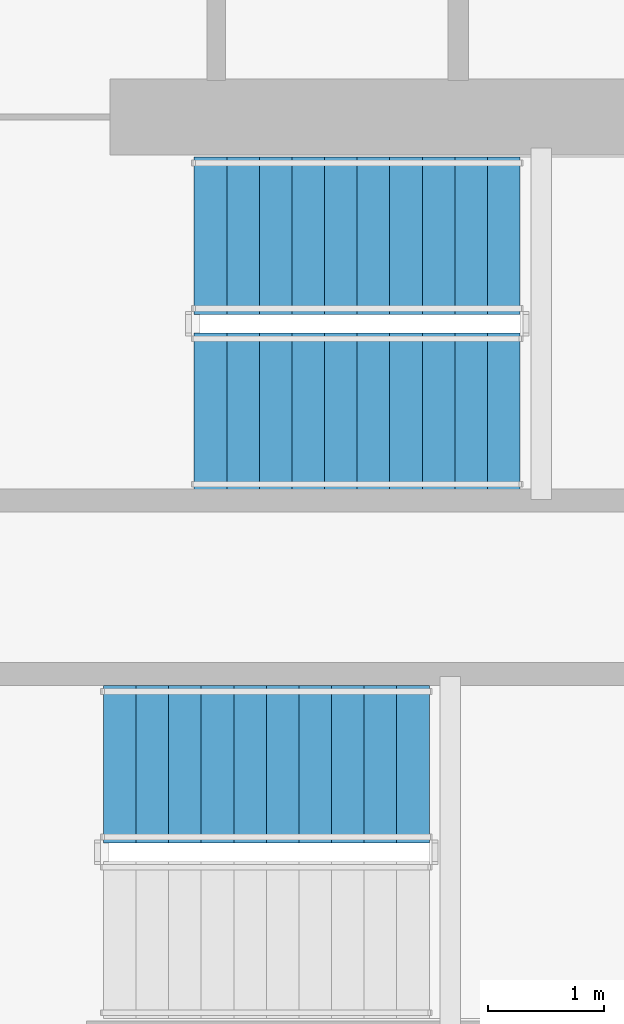
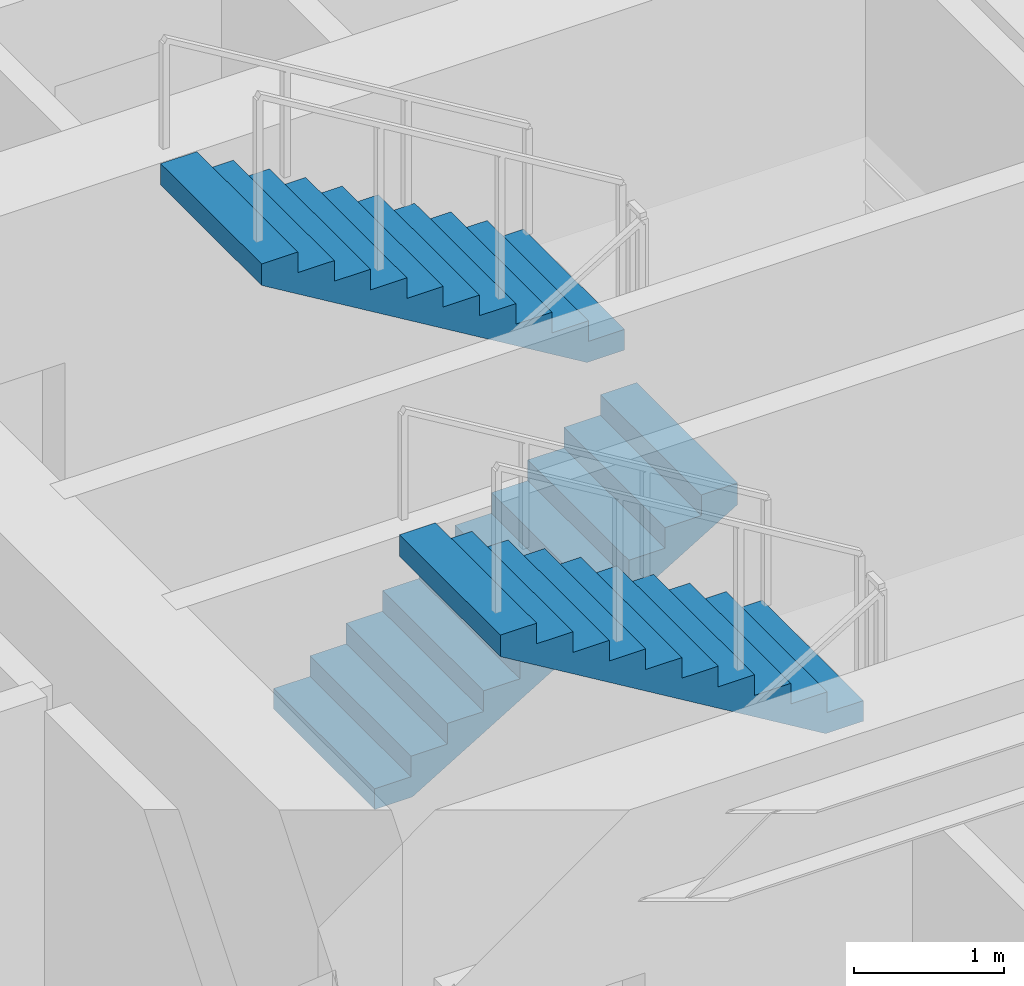
# One storey, part 20 of 23: 3 stair flights, 2 elements without a shape of their own.
"""IFC4 building model written with IfcOpenShell, lengths in metres."""

from ifc_helpers import new_model, si_unit, direction, frame, origin, place, context, subcontext, project, spatial, polyline, outline, extrude, material, type_object, element, aggregate, save


model = new_model("IFC4")

# Units and contexts
model_context = context("Model", 3, precision=1e-05, world=origin(), true_north=direction((0.0, 1.0)))
body_context = subcontext(model_context, "Body", "Model", "MODEL_VIEW")
ifc_project = project(units=[si_unit("LENGTHUNIT", "METRE"), si_unit("AREAUNIT", "SQUARE_METRE"), si_unit("VOLUMEUNIT", "CUBIC_METRE"), si_unit("PLANEANGLEUNIT", "RADIAN"), si_unit("MASSUNIT", "GRAM", prefix="KILO")], contexts=[model_context])

# Site, building, storey
site_placement = place(None, origin())
site = spatial("IfcSite", under=ifc_project, at=site_placement, CompositionType="ELEMENT")
building_placement = place(site_placement, origin())
building = spatial("IfcBuilding", under=site, at=building_placement, Name="Qianvela Tower", CompositionType="ELEMENT")
storey_placement = place(building_placement, frame((0.0, 0.0, 67.300048828125)))
storey = spatial("IfcBuildingStorey", under=building, at=storey_placement, Name="L16", CompositionType="ELEMENT", Elevation=67.300048828125)

# Stair, stair flights
ifc_material_1 = material(Name="Concrete C40", Category="concrete")
stair_type = type_object("IfcStairType", Name="ST-DOGLEG-1350-R168-N22", PredefinedType="HALF_TURN_STAIR", material=ifc_material_1)
stair_1_placement = place(storey_placement, origin())
stair_1 = element("IfcStair", 1, at=stair_1_placement, inside=storey, type_object=stair_type, Name="L16 Smoke-Proof Core Stair ST-1", PredefinedType="HALF_TURN_STAIR")
ifc_material_2 = material(Name="Concrete C40", Category="concrete")
stair_flight_type = type_object("IfcStairFlightType", Name="STF-STRAIGHT-R168-P11", PredefinedType="STRAIGHT", material=ifc_material_2)
stair_flight_1_placement = place(storey_placement, frame((32.199951171875, 30.215087890625, 0.0), z_axis=(0.0, 0.0, 1.0), x_axis=(1.0, 0.0, 0.0)))
stair_flight_1 = element("IfcStairFlight", 2, at=stair_flight_1_placement, type_object=stair_flight_type, Name="ST-1 flight 1", NumberOfRisers=11, NumberOfTreads=10, PredefinedType="STRAIGHT", RiserHeight=0.168181818, TreadLength=0.28, context=body_context, shape_type="SweptSolid", body=[
    extrude(outline(polyline([(0.0, 0.0), (0.0, 0.168212890625), (0.280029296875, 0.168212890625), (0.280029296875, 0.33642578125), (0.56005859375, 0.33642578125), (0.56005859375, 0.504638671875), (0.840087890625, 0.504638671875), (0.840087890625, 0.672607421875), (1.1201171875, 0.672607421875), (1.1201171875, 0.8408203125), (1.39990234375, 0.8408203125), (1.39990234375, 1.009033203125), (1.679931640625, 1.009033203125), (1.679931640625, 1.17724609375), (1.9599609375, 1.17724609375), (1.9599609375, 1.345458984375), (2.239990234375, 1.345458984375), (2.239990234375, 1.513671875), (2.52001953125, 1.513671875), (2.52001953125, 1.681884765625), (2.800048828125, 1.681884765625), (2.800048828125, 1.85009765625), (2.800048828125, 1.5068359375), (0.291015625, 0.0), (0.0, 0.0)])), frame((0.0, 0.675048828125, 0.0), z_axis=(0.0, -1.0, 0.0), x_axis=(1.0, 0.0, 0.0)), (0.0, 0.0, 1.0), 1.35009765625),
])
stair_flight_2_placement = place(storey_placement, frame((35.0, 31.72509765625, 1.849853515625), z_axis=(0.0, 0.0, 1.0), x_axis=(-1.0, 0.0, 0.0)))
stair_flight_2 = element("IfcStairFlight", 3, at=stair_flight_2_placement, type_object=stair_flight_type, Name="ST-1 flight 2", NumberOfRisers=11, NumberOfTreads=10, PredefinedType="STRAIGHT", RiserHeight=0.168181818, TreadLength=0.28, context=body_context, shape_type="SweptSolid", body=[
    extrude(outline(polyline([(0.0, 0.0), (0.0, 0.168212890625), (0.280029296875, 0.168212890625), (0.280029296875, 0.33642578125), (0.56005859375, 0.33642578125), (0.56005859375, 0.504638671875), (0.840087890625, 0.504638671875), (0.840087890625, 0.672607421875), (1.1201171875, 0.672607421875), (1.1201171875, 0.8408203125), (1.39990234375, 0.8408203125), (1.39990234375, 1.009033203125), (1.679931640625, 1.009033203125), (1.679931640625, 1.17724609375), (1.9599609375, 1.17724609375), (1.9599609375, 1.345458984375), (2.239990234375, 1.345458984375), (2.239990234375, 1.513671875), (2.52001953125, 1.513671875), (2.52001953125, 1.681884765625), (2.800048828125, 1.681884765625), (2.800048828125, 1.85009765625), (2.800048828125, 1.5068359375), (0.291015625, 0.0), (0.0, 0.0)])), frame((0.0, 0.675048828125, 0.0), z_axis=(0.0, -1.0, 0.0), x_axis=(1.0, 0.0, 0.0)), (0.0, 0.0, 1.0), 1.35009765625),
])
aggregate(stair_1, [stair_flight_1, stair_flight_2])

# Stair, stair flight
stair_2_placement = place(storey_placement, origin())
stair_2 = element("IfcStair", 4, at=stair_2_placement, inside=storey, type_object=stair_type, Name="L16 Smoke-Proof Core Stair ST-2", PredefinedType="HALF_TURN_STAIR")
stair_flight_3_placement = place(storey_placement, frame((34.219970703125, 27.18505859375, 1.849853515625), z_axis=(0.0, 0.0, 1.0), x_axis=(-1.0, 0.0, 0.0)))
stair_flight_3 = element("IfcStairFlight", 5, at=stair_flight_3_placement, type_object=stair_flight_type, Name="ST-2 flight 2", NumberOfRisers=11, NumberOfTreads=10, PredefinedType="STRAIGHT", RiserHeight=0.168181818, TreadLength=0.28, context=body_context, shape_type="SweptSolid", body=[
    extrude(outline(polyline([(0.0, 0.0), (0.0, 0.168212890625), (0.280029296875, 0.168212890625), (0.280029296875, 0.33642578125), (0.56005859375, 0.33642578125), (0.56005859375, 0.504638671875), (0.840087890625, 0.504638671875), (0.840087890625, 0.672607421875), (1.1201171875, 0.672607421875), (1.1201171875, 0.8408203125), (1.39990234375, 0.8408203125), (1.39990234375, 1.009033203125), (1.679931640625, 1.009033203125), (1.679931640625, 1.17724609375), (1.9599609375, 1.17724609375), (1.9599609375, 1.345458984375), (2.239990234375, 1.345458984375), (2.239990234375, 1.513671875), (2.52001953125, 1.513671875), (2.52001953125, 1.681884765625), (2.800048828125, 1.681884765625), (2.800048828125, 1.85009765625), (2.800048828125, 1.5068359375), (0.291015625, 0.0), (0.0, 0.0)])), frame((0.0, 0.675048828125, 0.0), z_axis=(0.0, -1.0, 0.0), x_axis=(1.0, 0.0, 0.0)), (0.0, 0.0, 1.0), 1.35009765625),
])
aggregate(stair_2, [stair_flight_3])

save(model, "model.ifc")
